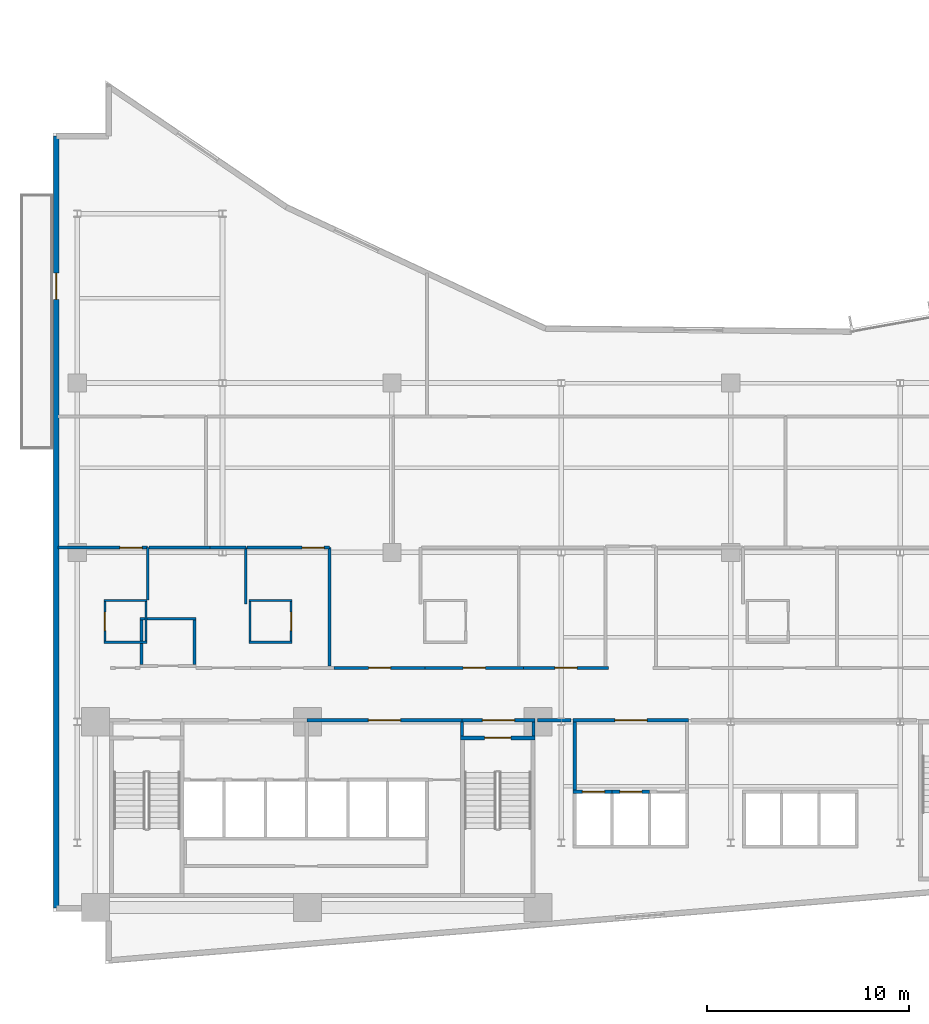
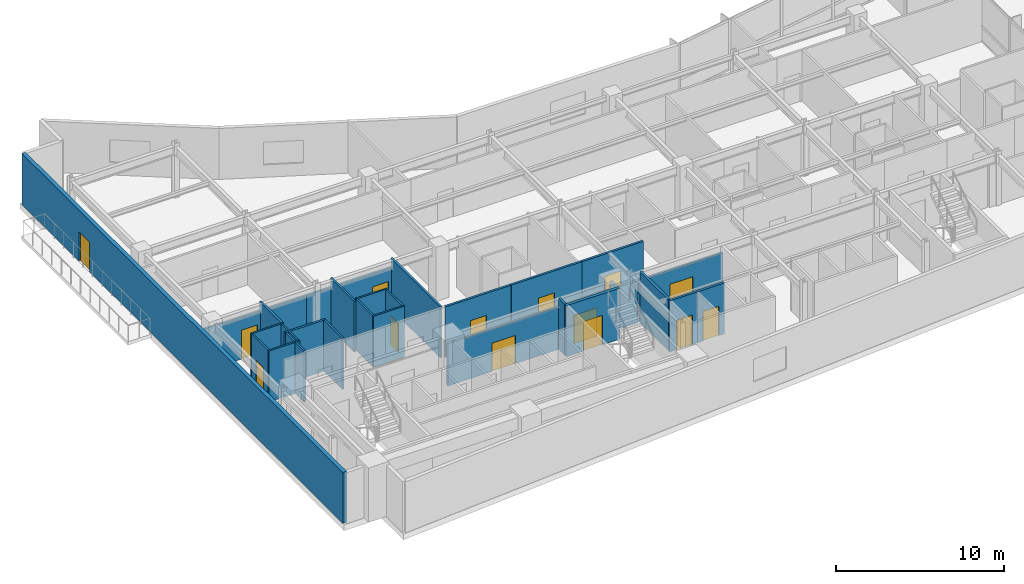
# One storey, part 11 of 20: 32 walls, 14 doors, 14 openings.
"""IFC4 building model written with IfcOpenShell, lengths in metres."""

from ifc_helpers import new_model, si_unit, direction, frame, frame_2d, origin, place, context, subcontext, project, spatial, rectangle, extrude, material, layer, layer_set, type_object, element, fill, save


model = new_model("IFC4")

# Units and contexts
model_context = context("Model", 3, precision=1e-05, world=origin(), true_north=direction((0.0, 1.0)))
body_context = subcontext(model_context, "Body", "Model", "MODEL_VIEW")
ifc_project = project(units=[si_unit("LENGTHUNIT", "METRE"), si_unit("AREAUNIT", "SQUARE_METRE"), si_unit("VOLUMEUNIT", "CUBIC_METRE"), si_unit("PLANEANGLEUNIT", "RADIAN"), si_unit("MASSUNIT", "GRAM", prefix="KILO")], contexts=[model_context])

# Site, building, storey
site_placement = place(None, origin())
site = spatial("IfcSite", under=ifc_project, at=site_placement, CompositionType="ELEMENT")
building_placement = place(site_placement, origin())
building = spatial("IfcBuilding", under=site, at=building_placement, Name="Varnakote Quay Hospital", CompositionType="ELEMENT")
storey_placement = place(building_placement, frame((0.0, 0.0, 22.5)))
storey = spatial("IfcBuildingStorey", under=building, at=storey_placement, Name="L05", CompositionType="ELEMENT", Elevation=22.5)

# Wall, opening, door
ifc_material_1 = material(Name="Fire-rated acoustic gypsum stud wall", Category="gypsum")
ifc_layer_1 = layer(ifc_material_1, 0.159912109375)
ifc_layer_set_1 = layer_set([ifc_layer_1], Name="Fire-rated acoustic gypsum stud wall")
wall_type_1 = type_object("IfcWallType", Name="WL-COMP-160", PredefinedType="PARTITIONING", material=ifc_layer_set_1)
wall_1_placement = place(storey_placement, frame((12.580078125, 12.080078125, 0.0), z_axis=(0.0, 0.0, 1.0), x_axis=(1.0, 0.0, 0.0)))
wall_1 = element("IfcWall", 1, at=wall_1_placement, inside=storey, type_object=wall_type_1, Name="L05 Clinical Bed Lift Lobby Wall", PredefinedType="PARTITIONING", context=body_context, shape_type="SweptSolid", body=[
    extrude(rectangle(XDim=7.699951171875, YDim=0.159912109375, at=frame_2d((3.85009765625, 0.0))), origin(), (0.0, 0.0, 1.0), 3.072998046875),
])
opening_1_placement = place(wall_1_placement, frame((3.050048828125, 0.0, 0.0)))
opening_1 = element("IfcOpeningElement", 2, at=opening_1_placement, cuts=wall_1, Name="Opening D-SVL-L05", PredefinedType="OPENING", context=body_context, shape_type="SweptSolid", body=[
    extrude(rectangle(XDim=1.60009765625, YDim=2.050048828125, at=frame_2d((0.800048828125, 1.02490234375))), frame((0.0, 0.08984375, 0.0), z_axis=(0.0, -1.0, 0.0), x_axis=(1.0, 0.0, 0.0)), (0.0, 0.0, 1.0), 0.179931640625),
])
ifc_material_2 = material(Name="Fire-rated double smoke lobby door")
door_type_1 = type_object("IfcDoorType", Name="DR-LOBBY-FD60S-1600x2150", OperationType="NOTDEFINED", PredefinedType="DOOR", material=ifc_material_2)
door_1_placement = place(opening_1_placement, origin())
door_1 = element("IfcDoor", 3, at=door_1_placement, inside=storey, type_object=door_type_1, Name="L05 Clinical Core Smoke Vestibule Door", OperationType="DOUBLE_DOOR_SINGLE_SWING", OverallHeight=2.050048828125, OverallWidth=1.60009765625, PredefinedType="DOOR", context=body_context, shape_type="SweptSolid", body=[
    extrude(rectangle(XDim=1.60009765625, YDim=2.050048828125, at=frame_2d((0.800048828125, 1.02490234375))), frame((0.0, 0.02490234375, 0.0), z_axis=(0.0, -1.0, 0.0), x_axis=(1.0, 0.0, 0.0)), (0.0, 0.0, 1.0), 0.050048828125),
])
fill(opening_1, door_1)

# Wall
wall_2_placement = place(storey_placement, frame((20.280029296875, 11.300048828125, 0.0), z_axis=(0.0, 0.0, 1.0), x_axis=(0.0, 1.0, 0.0)))
element("IfcWall", 4, at=wall_2_placement, inside=storey, type_object=wall_type_1, Name="L05 East Stair Vestibule Divider Wall", PredefinedType="PARTITIONING", context=body_context, shape_type="SweptSolid", body=[
    extrude(rectangle(XDim=0.699951171875, YDim=0.159912109375, at=frame_2d((0.35009765625, 0.0))), origin(), (0.0, 0.0, 1.0), 3.7099609375),
])

# Wall, opening, door
wall_3_placement = place(storey_placement, frame((20.280029296875, 12.080078125, 0.0), z_axis=(0.0, 0.0, 1.0), x_axis=(1.0, 0.0, 0.0)))
wall_3 = element("IfcWall", 5, at=wall_3_placement, inside=storey, type_object=wall_type_1, Name="L05 East Stair Vestibule Smoke Wall", PredefinedType="PARTITIONING", context=body_context, shape_type="SweptSolid", body=[
    extrude(rectangle(XDim=3.619873046875, YDim=0.159912109375, at=frame_2d((1.81005859375, 0.0))), origin(), (0.0, 0.0, 1.0), 3.072998046875),
])
opening_2_placement = place(wall_3_placement, frame((1.010009765625, 0.0, 0.0)))
opening_2 = element("IfcOpeningElement", 6, at=opening_2_placement, cuts=wall_3, Name="Opening D-ST2L-L05", PredefinedType="OPENING", context=body_context, shape_type="SweptSolid", body=[
    extrude(rectangle(XDim=1.60009765625, YDim=2.050048828125, at=frame_2d((0.800048828125, 1.02490234375))), frame((0.0, 0.08984375, 0.0), z_axis=(0.0, -1.0, 0.0), x_axis=(1.0, 0.0, 0.0)), (0.0, 0.0, 1.0), 0.179931640625),
])
door_2_placement = place(opening_2_placement, origin())
door_2 = element("IfcDoor", 7, at=door_2_placement, inside=storey, type_object=door_type_1, Name="L05 East Stair Vestibule Smoke Door", OperationType="DOUBLE_DOOR_SINGLE_SWING", OverallHeight=2.050048828125, OverallWidth=1.60009765625, PredefinedType="DOOR", context=body_context, shape_type="SweptSolid", body=[
    extrude(rectangle(XDim=1.60009765625, YDim=2.050048828125, at=frame_2d((0.800048828125, 1.02490234375))), frame((0.0, 0.02490234375, 0.0), z_axis=(0.0, -1.0, 0.0), x_axis=(1.0, 0.0, 0.0)), (0.0, 0.0, 1.0), 0.050048828125),
])
fill(opening_2, door_2)

# Walls
wall_4_placement = place(storey_placement, frame((23.820068359375, 11.300048828125, 0.0), z_axis=(0.0, 0.0, 1.0), x_axis=(0.0, 1.0, 0.0)))
element("IfcWall", 8, at=wall_4_placement, inside=storey, type_object=wall_type_1, Name="L05 East Stair Vestibule East Wall", PredefinedType="PARTITIONING", context=body_context, shape_type="SweptSolid", body=[
    extrude(rectangle(XDim=0.699951171875, YDim=0.159912109375, at=frame_2d((0.35009765625, 0.0))), origin(), (0.0, 0.0, 1.0), 3.7099609375),
])
wall_5_placement = place(storey_placement, frame((25.8701171875, 8.610107421875, 0.0), z_axis=(0.0, 0.0, 1.0), x_axis=(0.0, 1.0, 0.0)))
element("IfcWall", 9, at=wall_5_placement, inside=storey, type_object=wall_type_1, Name="L05 Low-Rise Lift Lobby West Wall", PredefinedType="PARTITIONING", context=body_context, shape_type="SweptSolid", body=[
    extrude(rectangle(XDim=3.389892578125, YDim=0.159912109375, at=frame_2d((1.69482421875, 0.0))), origin(), (0.0, 0.0, 1.0), 3.7099609375),
])

# Wall, opening, door
wall_6_placement = place(storey_placement, frame((25.7900390625, 12.080078125, 0.0), z_axis=(0.0, 0.0, 1.0), x_axis=(1.0, 0.0, 0.0)))
wall_6 = element("IfcWall", 10, at=wall_6_placement, inside=storey, type_object=wall_type_1, Name="L05 Low-Rise Lift Lobby North Wall", PredefinedType="PARTITIONING", context=body_context, shape_type="SweptSolid", body=[
    extrude(rectangle(XDim=5.719970703125, YDim=0.159912109375, at=frame_2d((2.85986328125, 0.0))), origin(), (0.0, 0.0, 1.0), 3.072998046875),
])
opening_3_placement = place(wall_6_placement, frame((2.06005859375, 0.0, 0.0)))
opening_3 = element("IfcOpeningElement", 11, at=opening_3_placement, cuts=wall_6, Name="Opening D-PLL-L05", PredefinedType="OPENING", context=body_context, shape_type="SweptSolid", body=[
    extrude(rectangle(XDim=1.60009765625, YDim=2.050048828125, at=frame_2d((0.800048828125, 1.02490234375))), frame((0.0, 0.08984375, 0.0), z_axis=(0.0, -1.0, 0.0), x_axis=(1.0, 0.0, 0.0)), (0.0, 0.0, 1.0), 0.179931640625),
])
door_3_placement = place(opening_3_placement, origin())
door_3 = element("IfcDoor", 12, at=door_3_placement, inside=storey, type_object=door_type_1, Name="L05 Low-Rise Passenger Concourse Vestibule Door", OperationType="DOUBLE_DOOR_SINGLE_SWING", OverallHeight=2.050048828125, OverallWidth=1.60009765625, PredefinedType="DOOR", context=body_context, shape_type="SweptSolid", body=[
    extrude(rectangle(XDim=1.60009765625, YDim=2.050048828125, at=frame_2d((0.800048828125, 1.02490234375))), frame((0.0, 0.02490234375, 0.0), z_axis=(0.0, -1.0, 0.0), x_axis=(1.0, 0.0, 0.0)), (0.0, 0.0, 1.0), 0.050048828125),
])
fill(opening_3, door_3)

# Walls
wall_7_placement = place(storey_placement, frame((24.02001953125, 12.080078125, 0.0), z_axis=(0.0, 0.0, 1.0), x_axis=(1.0, 0.0, 0.0)))
element("IfcWall", 13, at=wall_7_placement, inside=storey, type_object=wall_type_1, Name="L05 Corridor South Gap Wall", PredefinedType="PARTITIONING", context=body_context, shape_type="SweptSolid", body=[
    extrude(rectangle(XDim=1.64990234375, YDim=0.159912109375, at=frame_2d((0.824951171875, 0.0))), origin(), (0.0, 0.0, 1.0), 3.072998046875),
])
ifc_material_3 = material(Name="Moisture-resistant bathroom partition", Category="gypsum")
ifc_layer_2 = layer(ifc_material_3, 0.114990234375)
ifc_layer_set_2 = layer_set([ifc_layer_2], Name="Moisture-resistant bathroom partition")
wall_type_2 = type_object("IfcWallType", Name="WL-ENS-115", PredefinedType="PARTITIONING", material=ifc_layer_set_2)
for number, where, z_axis, x_axis, name in (
    (14, (2.514892578125, 15.952392578125, 0.0), (0.0, 0.0, 1.0), (1.0, 0.0, 0.0), "L05 Inpatient En-Suite Bathroom 01 S Wall"),
    (15, (2.514892578125, 18.017578125, 0.0), (0.0, 0.0, 1.0), (1.0, 0.0, 0.0), "L05 Inpatient En-Suite Bathroom 01 N Wall"),
):
    element("IfcWall", number, at=place(storey_placement, frame(where, z_axis=z_axis, x_axis=x_axis)), inside=storey, type_object=wall_type_2, Name=name, PredefinedType="PARTITIONING", context=body_context, shape_type="SweptSolid", body=[
        extrude(rectangle(XDim=2.150146484375, YDim=0.114990234375, at=frame_2d((1.0751953125, 0.0))), origin(), (0.0, 0.0, 1.0), 3.7099609375),
    ])

# Wall, opening, door
wall_8_placement = place(storey_placement, frame((2.572509765625, 16.010009765625, 0.0), z_axis=(0.0, 0.0, 1.0), x_axis=(0.0, 1.0, 0.0)))
wall_8 = element("IfcWall", 16, at=wall_8_placement, inside=storey, type_object=wall_type_2, Name="L05 Inpatient En-Suite Bathroom 01 W Wall", PredefinedType="PARTITIONING", context=body_context, shape_type="SweptSolid", body=[
    extrude(rectangle(XDim=1.949951171875, YDim=0.114990234375, at=frame_2d((0.97509765625, 0.0))), origin(), (0.0, 0.0, 1.0), 3.7099609375),
])
opening_4_placement = place(wall_8_placement, frame((0.514892578125, 0.0, 0.0)))
opening_4 = element("IfcOpeningElement", 17, at=opening_4_placement, cuts=wall_8, Name="Opening D-L05-ENS01", PredefinedType="OPENING", context=body_context, shape_type="SweptSolid", body=[
    extrude(rectangle(XDim=0.919921875, YDim=2.10009765625, at=frame_2d((0.4599609375, 1.050048828125))), frame((0.0, 0.0673828125, 0.0), z_axis=(0.0, -1.0, 0.0), x_axis=(1.0, 0.0, 0.0)), (0.0, 0.0, 1.0), 0.135009765625),
])
ifc_material_4 = material(Name="Moisture-sealed en-suite bathroom door")
door_type_2 = type_object("IfcDoorType", Name="DR-ENS-920x2100", OperationType="NOTDEFINED", PredefinedType="DOOR", material=ifc_material_4)
door_4_placement = place(opening_4_placement, origin())
door_4 = element("IfcDoor", 18, at=door_4_placement, inside=storey, type_object=door_type_2, Name="L05 Inpatient En-Suite Bathroom 01 Door", OperationType="SINGLE_SWING_LEFT", OverallHeight=2.10009765625, OverallWidth=0.919921875, PredefinedType="DOOR", context=body_context, shape_type="SweptSolid", body=[
    extrude(rectangle(XDim=0.919921875, YDim=2.10009765625, at=frame_2d((0.4599609375, 1.050048828125))), frame((0.0, 0.02490234375, 0.0), z_axis=(0.0, -1.0, 0.0), x_axis=(1.0, 0.0, 0.0)), (0.0, 0.0, 1.0), 0.050048828125),
])
fill(opening_4, door_4)

# Walls
wall_9_placement = place(storey_placement, frame((4.607421875, 16.010009765625, 0.0), z_axis=(0.0, 0.0, 1.0), x_axis=(0.0, 1.0, 0.0)))
element("IfcWall", 19, at=wall_9_placement, inside=storey, type_object=wall_type_2, Name="L05 Inpatient En-Suite Bathroom 01 E Wall", PredefinedType="PARTITIONING", context=body_context, shape_type="SweptSolid", body=[
    extrude(rectangle(XDim=1.949951171875, YDim=0.114990234375, at=frame_2d((0.97509765625, 0.0))), origin(), (0.0, 0.0, 1.0), 3.7099609375),
])
for number, where, z_axis, x_axis, name in (
    (20, (9.705078125, 15.952392578125, 0.0), (0.0, 0.0, 1.0), (1.0, 0.0, 0.0), "L05 Inpatient En-Suite Bathroom 02 S Wall"),
    (21, (9.705078125, 18.017578125, 0.0), (0.0, 0.0, 1.0), (1.0, 0.0, 0.0), "L05 Inpatient En-Suite Bathroom 02 N Wall"),
):
    element("IfcWall", number, at=place(storey_placement, frame(where, z_axis=z_axis, x_axis=x_axis)), inside=storey, type_object=wall_type_2, Name=name, PredefinedType="PARTITIONING", context=body_context, shape_type="SweptSolid", body=[
        extrude(rectangle(XDim=2.14990234375, YDim=0.114990234375, at=frame_2d((1.074951171875, 0.0))), origin(), (0.0, 0.0, 1.0), 3.7099609375),
    ])
wall_10_placement = place(storey_placement, frame((9.762451171875, 16.010009765625, 0.0), z_axis=(0.0, 0.0, 1.0), x_axis=(0.0, 1.0, 0.0)))
element("IfcWall", 22, at=wall_10_placement, inside=storey, type_object=wall_type_2, Name="L05 Inpatient En-Suite Bathroom 02 W Wall", PredefinedType="PARTITIONING", context=body_context, shape_type="SweptSolid", body=[
    extrude(rectangle(XDim=1.949951171875, YDim=0.114990234375, at=frame_2d((0.97509765625, 0.0))), origin(), (0.0, 0.0, 1.0), 3.7099609375),
])

# Wall, opening, door
wall_11_placement = place(storey_placement, frame((11.797607421875, 16.010009765625, 0.0), z_axis=(0.0, 0.0, 1.0), x_axis=(0.0, 1.0, 0.0)))
wall_11 = element("IfcWall", 23, at=wall_11_placement, inside=storey, type_object=wall_type_2, Name="L05 Inpatient En-Suite Bathroom 02 E Wall", PredefinedType="PARTITIONING", context=body_context, shape_type="SweptSolid", body=[
    extrude(rectangle(XDim=1.949951171875, YDim=0.114990234375, at=frame_2d((0.97509765625, 0.0))), origin(), (0.0, 0.0, 1.0), 3.7099609375),
])
opening_5_placement = place(wall_11_placement, frame((0.514892578125, 0.0, 0.0)))
opening_5 = element("IfcOpeningElement", 24, at=opening_5_placement, cuts=wall_11, Name="Opening D-L05-ENS02", PredefinedType="OPENING", context=body_context, shape_type="SweptSolid", body=[
    extrude(rectangle(XDim=0.919921875, YDim=2.10009765625, at=frame_2d((0.4599609375, 1.050048828125))), frame((0.0, 0.0673828125, 0.0), z_axis=(0.0, -1.0, 0.0), x_axis=(1.0, 0.0, 0.0)), (0.0, 0.0, 1.0), 0.135009765625),
])
door_5_placement = place(opening_5_placement, origin())
door_5 = element("IfcDoor", 25, at=door_5_placement, inside=storey, type_object=door_type_2, Name="L05 Inpatient En-Suite Bathroom 02 Door", OperationType="SINGLE_SWING_RIGHT", OverallHeight=2.10009765625, OverallWidth=0.919921875, PredefinedType="DOOR", context=body_context, shape_type="SweptSolid", body=[
    extrude(rectangle(XDim=0.919921875, YDim=2.10009765625, at=frame_2d((0.4599609375, 1.050048828125))), frame((0.0, 0.02490234375, 0.0), z_axis=(0.0, -1.0, 0.0), x_axis=(1.0, 0.0, 0.0)), (0.0, 0.0, 1.0), 0.050048828125),
])
fill(opening_5, door_5)

ifc_material_5 = material(Name="Precast concrete N50 (f'c 50 MPa)", Category="concrete")
ifc_layer_3 = layer(ifc_material_5, 0.260009765625)
ifc_layer_set_3 = layer_set([ifc_layer_3], Name="Precast concrete N50 (f'c 50 MPa)")
wall_type_3 = type_object("IfcWallType", Name="WL-EXT-BRICK-260", PredefinedType="STANDARD", material=ifc_layer_set_3)
wall_12_placement = place(storey_placement, frame((0.159912109375, 41.0400390625, 0.0), z_axis=(0.0, 0.0, 1.0), x_axis=(0.0, -1.0, 0.0)))
wall_12 = element("IfcWall", 26, at=wall_12_placement, inside=storey, type_object=wall_type_3, Name="L05 Healing Terrace Portal Brick Wall", PredefinedType="STANDARD", context=body_context, shape_type="SweptSolid", body=[
    extrude(rectangle(XDim=38.280029296875, YDim=0.260009765625, at=frame_2d((19.14013671875, 0.0))), origin(), (0.0, 0.0, 1.0), 3.7099609375),
])
opening_6_placement = place(wall_12_placement, frame((6.793212890625, 0.0, 0.0)))
opening_6 = element("IfcOpeningElement", 27, at=opening_6_placement, cuts=wall_12, Name="Opening DT-L05", PredefinedType="OPENING", context=body_context, shape_type="SweptSolid", body=[
    extrude(rectangle(XDim=1.300048828125, YDim=2.14990234375, at=frame_2d((0.64990234375, 1.074951171875))), frame((0.0, 0.139892578125, 0.0), z_axis=(0.0, -1.0, 0.0), x_axis=(1.0, 0.0, 0.0)), (0.0, 0.0, 1.0), 0.280029296875),
])
ifc_material_6 = material(Name="Anodised aluminium glazed terrace door", Category="aluminium")
door_type_3 = type_object("IfcDoorType", Name="DR-EXT-TERR-1300x2150", OperationType="NOTDEFINED", PredefinedType="DOOR", material=ifc_material_6)
door_6_placement = place(opening_6_placement, origin())
door_6 = element("IfcDoor", 28, at=door_6_placement, inside=storey, type_object=door_type_3, Name="L05 Waterfront Healing Terrace Door", OperationType="SINGLE_SWING_RIGHT", OverallHeight=2.14990234375, OverallWidth=1.300048828125, PredefinedType="DOOR", context=body_context, shape_type="SweptSolid", body=[
    extrude(rectangle(XDim=1.300048828125, YDim=2.14990234375, at=frame_2d((0.64990234375, 1.074951171875))), frame((0.0, 0.02490234375, 0.0), z_axis=(0.0, -1.0, 0.0), x_axis=(1.0, 0.0, 0.0)), (0.0, 0.0, 1.0), 0.050048828125),
])
fill(opening_6, door_6)

ifc_material_7 = material(Name="Concrete N50 (f'c 50 MPa)", Category="concrete")
ifc_layer_4 = layer(ifc_material_7, 0.159912109375)
ifc_layer_set_4 = layer_set([ifc_layer_4], Name="Concrete N50 (f'c 50 MPa)")
wall_type_4 = type_object("IfcWallType", Name="WL-SHAFT-N50-160", PredefinedType="SHEAR", material=ifc_layer_set_4)
wall_13_placement = place(storey_placement, frame((25.7900390625, 8.530029296875, 0.0), z_axis=(0.0, 0.0, 1.0), x_axis=(1.0, 0.0, 0.0)))
wall_13 = element("IfcWall", 29, at=wall_13_placement, inside=storey, type_object=wall_type_4, Name="L05 LF-PL1 Hoistway Front Wall", PredefinedType="SHEAR", context=body_context, shape_type="SweptSolid", body=[
    extrude(rectangle(XDim=1.93505859375, YDim=0.159912109375, at=frame_2d((0.967529296875, 0.0))), origin(), (0.0, 0.0, 1.0), 3.7099609375),
])
opening_7_placement = place(wall_13_placement, frame((0.4599609375, 0.0, 0.0)))
opening_7 = element("IfcOpeningElement", 30, at=opening_7_placement, cuts=wall_13, Name="Opening LD-PL1-L05", PredefinedType="OPENING", context=body_context, shape_type="SweptSolid", body=[
    extrude(rectangle(XDim=1.10009765625, YDim=2.14990234375, at=frame_2d((0.550048828125, 1.074951171875))), frame((0.0, 0.08984375, 0.0), z_axis=(0.0, -1.0, 0.0), x_axis=(1.0, 0.0, 0.0)), (0.0, 0.0, 1.0), 0.179931640625),
])
ifc_material_8 = material(Name="Brushed bronze lift landing sliding door")
door_type_4 = type_object("IfcDoorType", Name="DR-LIFT-LD-1100x2150", OperationType="NOTDEFINED", PredefinedType="DOOR", material=ifc_material_8)
door_7_placement = place(opening_7_placement, origin())
door_7 = element("IfcDoor", 31, at=door_7_placement, inside=storey, type_object=door_type_4, Name="L05 LF-PL1 Lift Landing Sliding Door", OperationType="SLIDING_TO_LEFT", OverallHeight=2.14990234375, OverallWidth=1.10009765625, PredefinedType="DOOR", context=body_context, shape_type="SweptSolid", body=[
    extrude(rectangle(XDim=1.10009765625, YDim=2.14990234375, at=frame_2d((0.550048828125, 1.074951171875))), frame((0.0, 0.02490234375, 0.0), z_axis=(0.0, -1.0, 0.0), x_axis=(1.0, 0.0, 0.0)), (0.0, 0.0, 1.0), 0.050048828125),
])
fill(opening_7, door_7)

wall_14_placement = place(storey_placement, frame((27.72509765625, 8.530029296875, 0.0), z_axis=(0.0, 0.0, 1.0), x_axis=(1.0, 0.0, 0.0)))
wall_14 = element("IfcWall", 32, at=wall_14_placement, inside=storey, type_object=wall_type_4, Name="L05 LF-PL2 Hoistway Front Wall", PredefinedType="SHEAR", context=body_context, shape_type="SweptSolid", body=[
    extrude(rectangle(XDim=1.849853515625, YDim=0.159912109375, at=frame_2d((0.9248046875, 0.0))), origin(), (0.0, 0.0, 1.0), 3.7099609375),
])
opening_8_placement = place(wall_14_placement, frame((0.375, 0.0, 0.0)))
opening_8 = element("IfcOpeningElement", 33, at=opening_8_placement, cuts=wall_14, Name="Opening LD-PL2-L05", PredefinedType="OPENING", context=body_context, shape_type="SweptSolid", body=[
    extrude(rectangle(XDim=1.10009765625, YDim=2.14990234375, at=frame_2d((0.550048828125, 1.074951171875))), frame((0.0, 0.08984375, 0.0), z_axis=(0.0, -1.0, 0.0), x_axis=(1.0, 0.0, 0.0)), (0.0, 0.0, 1.0), 0.179931640625),
])
door_8_placement = place(opening_8_placement, origin())
door_8 = element("IfcDoor", 34, at=door_8_placement, inside=storey, type_object=door_type_4, Name="L05 LF-PL2 Lift Landing Sliding Door", OperationType="SLIDING_TO_LEFT", OverallHeight=2.14990234375, OverallWidth=1.10009765625, PredefinedType="DOOR", context=body_context, shape_type="SweptSolid", body=[
    extrude(rectangle(XDim=1.10009765625, YDim=2.14990234375, at=frame_2d((0.550048828125, 1.074951171875))), frame((0.0, 0.02490234375, 0.0), z_axis=(0.0, -1.0, 0.0), x_axis=(1.0, 0.0, 0.0)), (0.0, 0.0, 1.0), 0.050048828125),
])
fill(opening_8, door_8)

ifc_material_9 = material(Name="Concrete N50 (f'c 50 MPa)", Category="concrete")
ifc_layer_5 = layer(ifc_material_9, 0.199951171875)
ifc_layer_set_5 = layer_set([ifc_layer_5], Name="Concrete N50 (f'c 50 MPa)")
wall_type_5 = type_object("IfcWallType", Name="WL-SHAFT-N50-200", PredefinedType="SHEAR", material=ifc_layer_set_5)
wall_15_placement = place(storey_placement, frame((20.199951171875, 11.199951171875, 0.0), z_axis=(0.0, 0.0, 1.0), x_axis=(1.0, 0.0, 0.0)))
wall_15 = element("IfcWall", 35, at=wall_15_placement, inside=storey, type_object=wall_type_5, Name="L05 Stair ST2 Exit Wall", PredefinedType="SHEAR", context=body_context, shape_type="SweptSolid", body=[
    extrude(rectangle(XDim=3.699951171875, YDim=0.199951171875, at=frame_2d((1.85009765625, 0.0))), origin(), (0.0, 0.0, 1.0), 3.7099609375),
])
opening_9_placement = place(wall_15_placement, frame((1.199951171875, 0.0, 0.0)))
opening_9 = element("IfcOpeningElement", 36, at=opening_9_placement, cuts=wall_15, Name="Opening D-ST2-L05", PredefinedType="OPENING", context=body_context, shape_type="SweptSolid", body=[
    extrude(rectangle(XDim=1.300048828125, YDim=2.14990234375, at=frame_2d((0.64990234375, 1.074951171875))), frame((0.0, 0.10986328125, 0.0), z_axis=(0.0, -1.0, 0.0), x_axis=(1.0, 0.0, 0.0)), (0.0, 0.0, 1.0), 0.219970703125),
])
ifc_material_10 = material(Name="Fire-rated ceramic-glazed timber exit door", Category="wood")
door_type_5 = type_object("IfcDoorType", Name="DR-STAIR-FD60S-1300x2150", OperationType="NOTDEFINED", PredefinedType="DOOR", material=ifc_material_10)
door_9_placement = place(opening_9_placement, origin())
door_9 = element("IfcDoor", 37, at=door_9_placement, inside=storey, type_object=door_type_5, Name="L05 Stair ST2 Fire Exit Door", OperationType="SINGLE_SWING_RIGHT", OverallHeight=2.14990234375, OverallWidth=1.300048828125, PredefinedType="DOOR", context=body_context, shape_type="SweptSolid", body=[
    extrude(rectangle(XDim=1.300048828125, YDim=2.14990234375, at=frame_2d((0.64990234375, 1.074951171875))), frame((0.0, 0.02490234375, 0.0), z_axis=(0.0, -1.0, 0.0), x_axis=(1.0, 0.0, 0.0)), (0.0, 0.0, 1.0), 0.050048828125),
])
fill(opening_9, door_9)

# Wall
ifc_material_11 = material(Name="Smoke-proof clinical partition", Category="gypsum")
ifc_layer_6 = layer(ifc_material_11, 0.135009765625)
ifc_layer_set_6 = layer_set([ifc_layer_6], Name="Smoke-proof clinical partition")
wall_type_6 = type_object("IfcWallType", Name="WL-SMOKE-135", PredefinedType="PARTITIONING", material=ifc_layer_set_6)
wall_16_placement = place(storey_placement, frame((4.68994140625, 18.0400390625, 0.0), z_axis=(0.0, 0.0, 1.0), x_axis=(0.0, 1.0, 0.0)))
element("IfcWall", 38, at=wall_16_placement, inside=storey, type_object=wall_type_6, Name="L05 Clinical Interior Partition", PredefinedType="PARTITIONING", context=body_context, shape_type="SweptSolid", body=[
    extrude(rectangle(XDim=2.599853515625, YDim=0.135009765625, at=frame_2d((1.2998046875, 0.0))), origin(), (0.0, 0.0, 1.0), 3.7099609375),
])

# Wall, opening, door
wall_17_placement = place(storey_placement, frame((4.68994140625, 20.639892578125, 0.0), z_axis=(0.0, 0.0, 1.0), x_axis=(-1.0, 0.0, 0.0)))
wall_17 = element("IfcWall", 39, at=wall_17_placement, inside=storey, type_object=wall_type_6, Name="L05 Clinical Interior Partition", PredefinedType="PARTITIONING", context=body_context, shape_type="SweptSolid", body=[
    extrude(rectangle(XDim=4.449951171875, YDim=0.135009765625, at=frame_2d((2.22509765625, 0.0))), origin(), (0.0, 0.0, 1.0), 3.072998046875),
])
opening_10_placement = place(wall_17_placement, frame((0.273681640625, 0.0, 0.0)))
opening_10 = element("IfcOpeningElement", 40, at=opening_10_placement, cuts=wall_17, Name="Opening D-L05-DLNG", PredefinedType="OPENING", context=body_context, shape_type="SweptSolid", body=[
    extrude(rectangle(XDim=1.10009765625, YDim=2.10009765625, at=frame_2d((0.550048828125, 1.050048828125))), frame((0.0, 0.077392578125, 0.0), z_axis=(0.0, -1.0, 0.0), x_axis=(1.0, 0.0, 0.0)), (0.0, 0.0, 1.0), 0.155029296875),
])
ifc_material_12 = material(Name="Acoustic timber clinical consult door", Category="wood")
door_type_6 = type_object("IfcDoorType", Name="DR-CLIN-FD30S-1100x2100", OperationType="NOTDEFINED", PredefinedType="DOOR", material=ifc_material_12)
door_10_placement = place(opening_10_placement, origin())
door_10 = element("IfcDoor", 41, at=door_10_placement, inside=storey, type_object=door_type_6, Name="L05 Waterfront Patient & Family Dayroom Door", OperationType="SINGLE_SWING_LEFT", OverallHeight=2.10009765625, OverallWidth=1.10009765625, PredefinedType="DOOR", context=body_context, shape_type="SweptSolid", body=[
    extrude(rectangle(XDim=1.10009765625, YDim=2.10009765625, at=frame_2d((0.550048828125, 1.050048828125))), frame((0.0, 0.02490234375, 0.0), z_axis=(0.0, -1.0, 0.0), x_axis=(1.0, 0.0, 0.0)), (0.0, 0.0, 1.0), 0.050048828125),
])
fill(opening_10, door_10)

# Walls
wall_18_placement = place(storey_placement, frame((9.56005859375, 17.83251953125, 0.0), z_axis=(0.0, 0.0, 1.0), x_axis=(0.0, 1.0, 0.0)))
element("IfcWall", 42, at=wall_18_placement, inside=storey, type_object=wall_type_6, Name="L05 Clinical Interior Partition", PredefinedType="PARTITIONING", context=body_context, shape_type="SweptSolid", body=[
    extrude(rectangle(XDim=2.807373046875, YDim=0.135009765625, at=frame_2d((1.40380859375, 0.0))), origin(), (0.0, 0.0, 1.0), 3.7099609375),
])
wall_19_placement = place(storey_placement, frame((7.78759765625, 20.639892578125, 0.0), z_axis=(0.0, 0.0, 1.0), x_axis=(-1.0, 0.0, 0.0)))
element("IfcWall", 43, at=wall_19_placement, inside=storey, type_object=wall_type_6, Name="L05 Clinical Interior Partition", PredefinedType="PARTITIONING", context=body_context, shape_type="SweptSolid", body=[
    extrude(rectangle(XDim=3.0400390625, YDim=0.135009765625, at=frame_2d((1.52001953125, 0.0))), origin(), (0.0, 0.0, 1.0), 3.072998046875),
])
wall_20_placement = place(storey_placement, frame((9.56005859375, 20.639892578125, 0.0), z_axis=(0.0, 0.0, 1.0), x_axis=(-1.0, 0.0, 0.0)))
element("IfcWall", 44, at=wall_20_placement, inside=storey, type_object=wall_type_6, Name="L05 Clinical Interior Partition", PredefinedType="PARTITIONING", context=body_context, shape_type="SweptSolid", body=[
    extrude(rectangle(XDim=1.7705078125, YDim=0.135009765625, at=frame_2d((0.88525390625, 0.0))), origin(), (0.0, 0.0, 1.0), 3.072998046875),
])
wall_21_placement = place(storey_placement, frame((13.7099609375, 14.760009765625, 0.0), z_axis=(0.0, 0.0, 1.0), x_axis=(0.0, 1.0, 0.0)))
element("IfcWall", 45, at=wall_21_placement, inside=storey, type_object=wall_type_6, Name="L05 Clinical Interior Partition", PredefinedType="PARTITIONING", context=body_context, shape_type="SweptSolid", body=[
    extrude(rectangle(XDim=5.8798828125, YDim=0.135009765625, at=frame_2d((2.93994140625, 0.0))), origin(), (0.0, 0.0, 1.0), 3.7099609375),
])

# Wall, opening, door
wall_22_placement = place(storey_placement, frame((13.7099609375, 20.639892578125, 0.0), z_axis=(0.0, 0.0, 1.0), x_axis=(-1.0, 0.0, 0.0)))
wall_22 = element("IfcWall", 46, at=wall_22_placement, inside=storey, type_object=wall_type_6, Name="L05 Clinical Interior Partition", PredefinedType="PARTITIONING", context=body_context, shape_type="SweptSolid", body=[
    extrude(rectangle(XDim=4.092529296875, YDim=0.135009765625, at=frame_2d((2.04638671875, 0.0))), origin(), (0.0, 0.0, 1.0), 3.072998046875),
])
opening_11_placement = place(wall_22_placement, frame((0.264892578125, 0.0, 0.0)))
opening_11 = element("IfcOpeningElement", 47, at=opening_11_placement, cuts=wall_22, Name="Opening D-L05-WPNT", PredefinedType="OPENING", context=body_context, shape_type="SweptSolid", body=[
    extrude(rectangle(XDim=1.10009765625, YDim=2.10009765625, at=frame_2d((0.550048828125, 1.050048828125))), frame((0.0, 0.077392578125, 0.0), z_axis=(0.0, -1.0, 0.0), x_axis=(1.0, 0.0, 0.0)), (0.0, 0.0, 1.0), 0.155029296875),
])
door_11_placement = place(opening_11_placement, origin())
door_11 = element("IfcDoor", 48, at=door_11_placement, inside=storey, type_object=door_type_6, Name="L05 Ward Clinical Nutrition Pantry Door", OperationType="SINGLE_SWING_RIGHT", OverallHeight=2.10009765625, OverallWidth=1.10009765625, PredefinedType="DOOR", context=body_context, shape_type="SweptSolid", body=[
    extrude(rectangle(XDim=1.10009765625, YDim=2.10009765625, at=frame_2d((0.550048828125, 1.050048828125))), frame((0.0, 0.02490234375, 0.0), z_axis=(0.0, -1.0, 0.0), x_axis=(1.0, 0.0, 0.0)), (0.0, 0.0, 1.0), 0.050048828125),
])
fill(opening_11, door_11)

# Walls
ifc_material_13 = material(Name="Fire-rated clinical gypsum partition", Category="gypsum")
ifc_layer_7 = layer(ifc_material_13, 0.139892578125)
ifc_layer_set_7 = layer_set([ifc_layer_7], Name="Fire-rated clinical gypsum partition")
wall_type_7 = type_object("IfcWallType", Name="WL-WARD-140", PredefinedType="PARTITIONING", material=ifc_layer_set_7)
wall_23_placement = place(storey_placement, frame((4.31005859375, 17.110107421875, 0.0), z_axis=(0.0, 0.0, 1.0), x_axis=(1.0, 0.0, 0.0)))
element("IfcWall", 49, at=wall_23_placement, inside=storey, type_object=wall_type_7, Name="L05 Floor Unisex Accessible WC N Wall", PredefinedType="PARTITIONING", context=body_context, shape_type="SweptSolid", body=[
    extrude(rectangle(XDim=2.780029296875, YDim=0.139892578125, at=frame_2d((1.39013671875, 0.0))), origin(), (0.0, 0.0, 1.0), 3.7099609375),
])
for number, where, z_axis, x_axis, name in (
    (50, (4.3798828125, 14.840087890625, 0.0), (0.0, 0.0, 1.0), (0.0, 1.0, 0.0), "L05 Floor Unisex Accessible WC W Wall"),
    (51, (7.02001953125, 14.840087890625, 0.0), (0.0, 0.0, 1.0), (0.0, 1.0, 0.0), "L05 Floor Unisex Accessible WC E Wall"),
):
    element("IfcWall", number, at=place(storey_placement, frame(where, z_axis=z_axis, x_axis=x_axis)), inside=storey, type_object=wall_type_7, Name=name, PredefinedType="PARTITIONING", context=body_context, shape_type="SweptSolid", body=[
        extrude(rectangle(XDim=2.199951171875, YDim=0.139892578125, at=frame_2d((1.10009765625, 0.0))), origin(), (0.0, 0.0, 1.0), 3.7099609375),
    ])

# Wall, opening, door
ifc_material_14 = material(Name="Fire-rated clinical gypsum partition", Category="gypsum")
ifc_layer_8 = layer(ifc_material_14, 0.14990234375)
ifc_layer_set_8 = layer_set([ifc_layer_8], Name="Fire-rated clinical gypsum partition")
wall_type_8 = type_object("IfcWallType", Name="WL-WARD-150", PredefinedType="PARTITIONING", material=ifc_layer_set_8)
wall_24_placement = place(storey_placement, frame((18.446044921875, 14.679931640625, 0.0), z_axis=(0.0, 0.0, 1.0), x_axis=(-1.0, 0.0, 0.0)))
wall_24 = element("IfcWall", 52, at=wall_24_placement, inside=storey, type_object=wall_type_8, Name="L05 Clinical Interior Partition", PredefinedType="PARTITIONING", context=body_context, shape_type="SweptSolid", body=[
    extrude(rectangle(XDim=4.508056640625, YDim=0.14990234375, at=frame_2d((2.25390625, 0.0))), origin(), (0.0, 0.0, 1.0), 3.7099609375),
])
opening_12_placement = place(wall_24_placement, frame((1.7041015625, 0.0, 0.0)))
opening_12 = element("IfcOpeningElement", 53, at=opening_12_placement, cuts=wall_24, Name="Opening D-L05-MD02", PredefinedType="OPENING", context=body_context, shape_type="SweptSolid", body=[
    extrude(rectangle(XDim=1.10009765625, YDim=2.10009765625, at=frame_2d((0.550048828125, 1.050048828125))), frame((0.0, 0.0849609375, 0.0), z_axis=(0.0, -1.0, 0.0), x_axis=(1.0, 0.0, 0.0)), (0.0, 0.0, 1.0), 0.169921875),
])
door_12_placement = place(opening_12_placement, origin())
door_12 = element("IfcDoor", 54, at=door_12_placement, inside=storey, type_object=door_type_6, Name="L05 Allied Health Assessment Office Door", OperationType="SINGLE_SWING_LEFT", OverallHeight=2.10009765625, OverallWidth=1.10009765625, PredefinedType="DOOR", context=body_context, shape_type="SweptSolid", body=[
    extrude(rectangle(XDim=1.10009765625, YDim=2.10009765625, at=frame_2d((0.550048828125, 1.050048828125))), frame((0.0, 0.02490234375, 0.0), z_axis=(0.0, -1.0, 0.0), x_axis=(1.0, 0.0, 0.0)), (0.0, 0.0, 1.0), 0.050048828125),
])
fill(opening_12, door_12)

wall_25_placement = place(storey_placement, frame((23.31591796875, 14.679931640625, 0.0), z_axis=(0.0, 0.0, 1.0), x_axis=(-1.0, 0.0, 0.0)))
wall_25 = element("IfcWall", 55, at=wall_25_placement, inside=storey, type_object=wall_type_8, Name="L05 Clinical Interior Partition", PredefinedType="PARTITIONING", context=body_context, shape_type="SweptSolid", body=[
    extrude(rectangle(XDim=4.867919921875, YDim=0.14990234375, at=frame_2d((2.43408203125, 0.0))), origin(), (0.0, 0.0, 1.0), 3.7099609375),
])
opening_13_placement = place(wall_25_placement, frame((1.884033203125, 0.0, 0.0)))
opening_13 = element("IfcOpeningElement", 56, at=opening_13_placement, cuts=wall_25, Name="Opening D-L05-BR03", PredefinedType="OPENING", context=body_context, shape_type="SweptSolid", body=[
    extrude(rectangle(XDim=1.10009765625, YDim=2.10009765625, at=frame_2d((0.550048828125, 1.050048828125))), frame((0.0, 0.0849609375, 0.0), z_axis=(0.0, -1.0, 0.0), x_axis=(1.0, 0.0, 0.0)), (0.0, 0.0, 1.0), 0.169921875),
])
door_13_placement = place(opening_13_placement, origin())
door_13 = element("IfcDoor", 57, at=door_13_placement, inside=storey, type_object=door_type_6, Name="L05 Inpatient Clinical Treatment Room 03 Door", OperationType="SINGLE_SWING_RIGHT", OverallHeight=2.10009765625, OverallWidth=1.10009765625, PredefinedType="DOOR", context=body_context, shape_type="SweptSolid", body=[
    extrude(rectangle(XDim=1.10009765625, YDim=2.10009765625, at=frame_2d((0.550048828125, 1.050048828125))), frame((0.0, 0.02490234375, 0.0), z_axis=(0.0, -1.0, 0.0), x_axis=(1.0, 0.0, 0.0)), (0.0, 0.0, 1.0), 0.050048828125),
])
fill(opening_13, door_13)

wall_26_placement = place(storey_placement, frame((27.5458984375, 14.679931640625, 0.0), z_axis=(0.0, 0.0, 1.0), x_axis=(-1.0, 0.0, 0.0)))
wall_26 = element("IfcWall", 58, at=wall_26_placement, inside=storey, type_object=wall_type_8, Name="L05 Clinical Interior Partition", PredefinedType="PARTITIONING", context=body_context, shape_type="SweptSolid", body=[
    extrude(rectangle(XDim=4.227783203125, YDim=0.14990234375, at=frame_2d((2.11376953125, 0.0))), origin(), (0.0, 0.0, 1.0), 3.7099609375),
])
opening_14_placement = place(wall_26_placement, frame((1.56396484375, 0.0, 0.0)))
opening_14 = element("IfcOpeningElement", 59, at=opening_14_placement, cuts=wall_26, Name="Opening D-L05-MD03", PredefinedType="OPENING", context=body_context, shape_type="SweptSolid", body=[
    extrude(rectangle(XDim=1.10009765625, YDim=2.10009765625, at=frame_2d((0.550048828125, 1.050048828125))), frame((0.0, 0.0849609375, 0.0), z_axis=(0.0, -1.0, 0.0), x_axis=(1.0, 0.0, 0.0)), (0.0, 0.0, 1.0), 0.169921875),
])
door_14_placement = place(opening_14_placement, origin())
door_14 = element("IfcDoor", 60, at=door_14_placement, inside=storey, type_object=door_type_6, Name="L05 Ambulatory Infusion Treatment Suite Door", OperationType="SINGLE_SWING_LEFT", OverallHeight=2.10009765625, OverallWidth=1.10009765625, PredefinedType="DOOR", context=body_context, shape_type="SweptSolid", body=[
    extrude(rectangle(XDim=1.10009765625, YDim=2.10009765625, at=frame_2d((0.550048828125, 1.050048828125))), frame((0.0, 0.02490234375, 0.0), z_axis=(0.0, -1.0, 0.0), x_axis=(1.0, 0.0, 0.0)), (0.0, 0.0, 1.0), 0.050048828125),
])
fill(opening_14, door_14)

save(model, "model.ifc")
